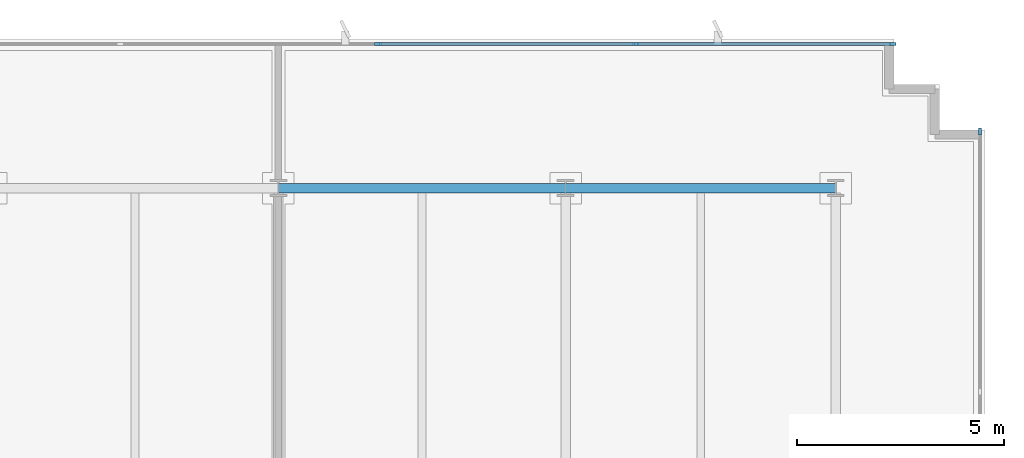
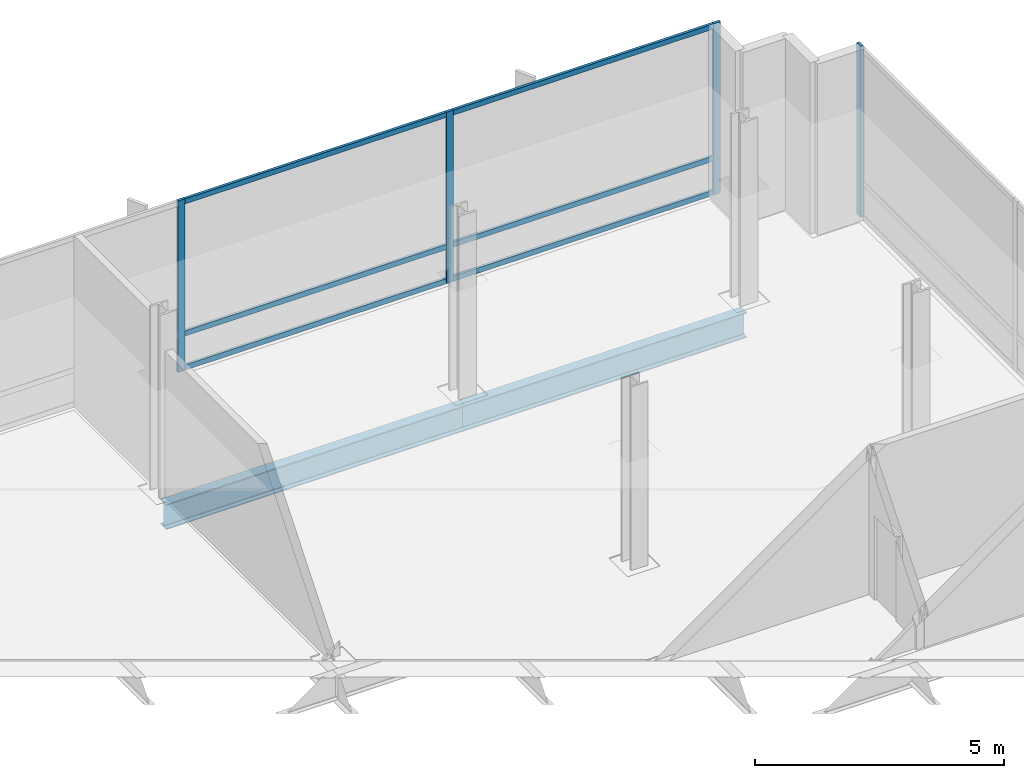
# One storey, part 8 of 17: 10 members, 2 beams, 2 elements without a shape of their own.
"""IFC4 building model written with IfcOpenShell, lengths in metres."""

from ifc_helpers import new_model, si_unit, direction, frame, origin, origin_2d, place, context, subcontext, project, spatial, rectangle, i_section, extrude, material, material_profile, profile_set, type_object, element, aggregate, save


model = new_model("IFC4")

# Units and contexts
model_context = context("Model", 3, precision=1e-05, world=origin(), true_north=direction((0.0, 1.0)))
body_context = subcontext(model_context, "Body", "Model", "MODEL_VIEW")
ifc_project = project(units=[si_unit("LENGTHUNIT", "METRE"), si_unit("AREAUNIT", "SQUARE_METRE"), si_unit("VOLUMEUNIT", "CUBIC_METRE"), si_unit("PLANEANGLEUNIT", "RADIAN"), si_unit("MASSUNIT", "GRAM", prefix="KILO")], contexts=[model_context])

# Site, building, storey
site_placement = place(None, origin())
site = spatial("IfcSite", under=ifc_project, at=site_placement, CompositionType="ELEMENT")
building_placement = place(site_placement, origin())
building = spatial("IfcBuilding", under=site, at=building_placement, Name="Solmavex Isthmus Hotel", CompositionType="ELEMENT")
storey_placement = place(building_placement, frame((0.0, 0.0, 286.800048828125)))
storey = spatial("IfcBuildingStorey", under=building, at=storey_placement, Name="L78", CompositionType="ELEMENT", Elevation=286.800048828125)

# Beams
ifc_material_1 = material(Name="Steel ASTM A992 Grade 50", Category="steel")
ifc_material_profile_1 = material_profile(ifc_material_1, i_section(OverallWidth=0.230224609375, OverallDepth=0.617431640625, WebThickness=0.01318359375, FlangeThickness=0.022216796875, FilletRadius=0.01513671875, at=origin_2d()), Name="W24X94")
ifc_profile_set_1 = profile_set([ifc_material_profile_1], Name="Steel ASTM A992 Grade 50")
beam_type = type_object("IfcBeamType", Name="BM-SP-W24X94", PredefinedType="SPANDREL", material=ifc_profile_set_1)
beam_1_placement = place(storey_placement, frame((6.93603515625, 17.699951171875, -0.56884765625), z_axis=(1.0, 0.0, 0.0), x_axis=(0.0, 1.0, 0.0)))
element("IfcBeam", 1, at=beam_1_placement, inside=storey, type_object=beam_type, Name="Floor Girder L78-UG19", PredefinedType="SPANDREL", context=body_context, shape_type="SweptSolid", body=[
    extrude(i_section(OverallWidth=0.230224609375, OverallDepth=0.617431640625, WebThickness=0.01318359375, FlangeThickness=0.022216796875, FilletRadius=0.01513671875, at=origin_2d()), origin(), (0.0, 0.0, 1.0), 6.93603515625),
])
beam_2_placement = place(storey_placement, frame((13.8720703125, 17.699951171875, -0.56884765625), z_axis=(1.0, 0.0, 0.0), x_axis=(0.0, 1.0, 0.0)))
element("IfcBeam", 2, at=beam_2_placement, inside=storey, type_object=beam_type, Name="Floor Girder L78-UG20", PredefinedType="SPANDREL", context=body_context, shape_type="SweptSolid", body=[
    extrude(i_section(OverallWidth=0.230224609375, OverallDepth=0.617431640625, WebThickness=0.01318359375, FlangeThickness=0.022216796875, FilletRadius=0.01513671875, at=origin_2d()), origin(), (0.0, 0.0, 1.0), 6.52783203125),
])

# Curtain wall, members
ifc_material_2 = material(Name="Aluminium alloy 6063-T6", Category="aluminium")
curtain_wall_type = type_object("IfcCurtainWallType", Name="CW-SYS-05", PredefinedType="NOTDEFINED", material=ifc_material_2)
curtain_wall_1_placement = place(storey_placement, origin())
curtain_wall_1 = element("IfcCurtainWall", 3, at=curtain_wall_1_placement, inside=storey, type_object=curtain_wall_type, Name="Stick Curtain Wall CWL-L78-N1", PredefinedType="NOTDEFINED")
ifc_material_profile_2 = material_profile(ifc_material_2, rectangle(XDim=0.06494140625, YDim=0.159912109375, at=origin_2d()), Name="CWM-65X160")
ifc_profile_set_2 = profile_set([ifc_material_profile_2], Name="Aluminium alloy 6063-T6")
member_type_1 = type_object("IfcMemberType", Name="CW-SYS-05-MUL", PredefinedType="MULLION", material=ifc_profile_set_2)
member_1_placement = place(storey_placement, frame((9.3427734375, 21.179931640625, 0.0), z_axis=(0.0, 0.0, 1.0), x_axis=(0.0, 1.0, 0.0)))
member_1 = element("IfcMember", 4, at=member_1_placement, type_object=member_type_1, Name="CW-05 mullion 6", PredefinedType="MULLION", context=body_context, shape_type="SweptSolid", body=[
    extrude(rectangle(XDim=0.06494140625, YDim=0.159912109375, at=origin_2d()), origin(), (0.0, 0.0, 1.0), 4.199951171875),
])
member_2_placement = place(storey_placement, frame((15.571533203125, 21.179931640625, 0.0), z_axis=(0.0, 0.0, 1.0), x_axis=(0.0, 1.0, 0.0)))
member_2 = element("IfcMember", 5, at=member_2_placement, type_object=member_type_1, Name="CW-05 mullion 7", PredefinedType="MULLION", context=body_context, shape_type="SweptSolid", body=[
    extrude(rectangle(XDim=0.06494140625, YDim=0.159912109375, at=origin_2d()), origin(), (0.0, 0.0, 1.0), 4.199951171875),
])
member_3_placement = place(storey_placement, frame((21.767578125, 21.179931640625, 0.0), z_axis=(0.0, 0.0, 1.0), x_axis=(0.0, 1.0, 0.0)))
member_3 = element("IfcMember", 6, at=member_3_placement, type_object=member_type_1, Name="CW-05 mullion 8", PredefinedType="MULLION", context=body_context, shape_type="SweptSolid", body=[
    extrude(rectangle(XDim=0.06494140625, YDim=0.159912109375, at=origin_2d()), origin(), (0.0, 0.0, 1.0), 4.199951171875),
])

# Curtain wall, member
curtain_wall_2_placement = place(storey_placement, origin())
curtain_wall_2 = element("IfcCurtainWall", 7, at=curtain_wall_2_placement, inside=storey, type_object=curtain_wall_type, Name="Stick Curtain Wall CWL-L78-E1", PredefinedType="NOTDEFINED")
member_4_placement = place(storey_placement, frame((23.8798828125, 19.0673828125, 0.0), z_axis=(0.0, 0.0, 1.0), x_axis=(-1.0, 0.0, 0.0)))
member_4 = element("IfcMember", 8, at=member_4_placement, type_object=member_type_1, Name="CW-05 mullion 6", PredefinedType="MULLION", context=body_context, shape_type="SweptSolid", body=[
    extrude(rectangle(XDim=0.06494140625, YDim=0.159912109375, at=origin_2d()), origin(), (0.0, 0.0, 1.0), 4.199951171875),
])
aggregate(curtain_wall_2, [member_4])

# Member
ifc_material_profile_3 = material_profile(ifc_material_2, rectangle(XDim=0.06494140625, YDim=0.125, at=origin_2d()), Name="CWT-65X125")
ifc_profile_set_3 = profile_set([ifc_material_profile_3], Name="Aluminium alloy 6063-T6")
member_type_2 = type_object("IfcMemberType", Name="CW-SYS-05-TRN", PredefinedType="USERDEFINED", material=ifc_profile_set_3)
member_5_placement = place(storey_placement, frame((9.375244140625, 21.179931640625, 0.0625), z_axis=(1.0, 0.0, 0.0), x_axis=(0.0, 1.0, 0.0)))
member_5 = element("IfcMember", 9, at=member_5_placement, type_object=member_type_2, Name="CW-05 transom 6.1", ObjectType="TRANSOM", PredefinedType="USERDEFINED", context=body_context, shape_type="SweptSolid", body=[
    extrude(rectangle(XDim=0.06494140625, YDim=0.125, at=origin_2d()), origin(), (0.0, 0.0, 1.0), 6.16357421875),
])

member_6_placement = place(storey_placement, frame((9.375244140625, 21.179931640625, 0.89990234375), z_axis=(1.0, 0.0, 0.0), x_axis=(0.0, 1.0, 0.0)))
member_6 = element("IfcMember", 10, at=member_6_placement, type_object=member_type_2, Name="CW-05 transom 6.2", ObjectType="TRANSOM", PredefinedType="USERDEFINED", context=body_context, shape_type="SweptSolid", body=[
    extrude(rectangle(XDim=0.06494140625, YDim=0.125, at=origin_2d()), origin(), (0.0, 0.0, 1.0), 6.16357421875),
])

member_7_placement = place(storey_placement, frame((9.375244140625, 21.179931640625, 4.137451171875), z_axis=(1.0, 0.0, 0.0), x_axis=(0.0, 1.0, 0.0)))
member_7 = element("IfcMember", 11, at=member_7_placement, type_object=member_type_2, Name="CW-05 transom 6.3", ObjectType="TRANSOM", PredefinedType="USERDEFINED", context=body_context, shape_type="SweptSolid", body=[
    extrude(rectangle(XDim=0.06494140625, YDim=0.125, at=origin_2d()), origin(), (0.0, 0.0, 1.0), 6.16357421875),
])

member_8_placement = place(storey_placement, frame((15.60400390625, 21.179931640625, 0.0625), z_axis=(1.0, 0.0, 0.0), x_axis=(0.0, 1.0, 0.0)))
member_8 = element("IfcMember", 12, at=member_8_placement, type_object=member_type_2, Name="CW-05 transom 7.1", ObjectType="TRANSOM", PredefinedType="USERDEFINED", context=body_context, shape_type="SweptSolid", body=[
    extrude(rectangle(XDim=0.06494140625, YDim=0.125, at=origin_2d()), origin(), (0.0, 0.0, 1.0), 6.131103515625),
])

member_9_placement = place(storey_placement, frame((15.60400390625, 21.179931640625, 0.89990234375), z_axis=(1.0, 0.0, 0.0), x_axis=(0.0, 1.0, 0.0)))
member_9 = element("IfcMember", 13, at=member_9_placement, type_object=member_type_2, Name="CW-05 transom 7.2", ObjectType="TRANSOM", PredefinedType="USERDEFINED", context=body_context, shape_type="SweptSolid", body=[
    extrude(rectangle(XDim=0.06494140625, YDim=0.125, at=origin_2d()), origin(), (0.0, 0.0, 1.0), 6.131103515625),
])

member_10_placement = place(storey_placement, frame((15.60400390625, 21.179931640625, 4.137451171875), z_axis=(1.0, 0.0, 0.0), x_axis=(0.0, 1.0, 0.0)))
member_10 = element("IfcMember", 14, at=member_10_placement, type_object=member_type_2, Name="CW-05 transom 7.3", ObjectType="TRANSOM", PredefinedType="USERDEFINED", context=body_context, shape_type="SweptSolid", body=[
    extrude(rectangle(XDim=0.06494140625, YDim=0.125, at=origin_2d()), origin(), (0.0, 0.0, 1.0), 6.131103515625),
])

aggregate(curtain_wall_1, [member_1, member_2, member_3, member_5, member_6, member_7, member_8, member_9, member_10])

save(model, "model.ifc")
